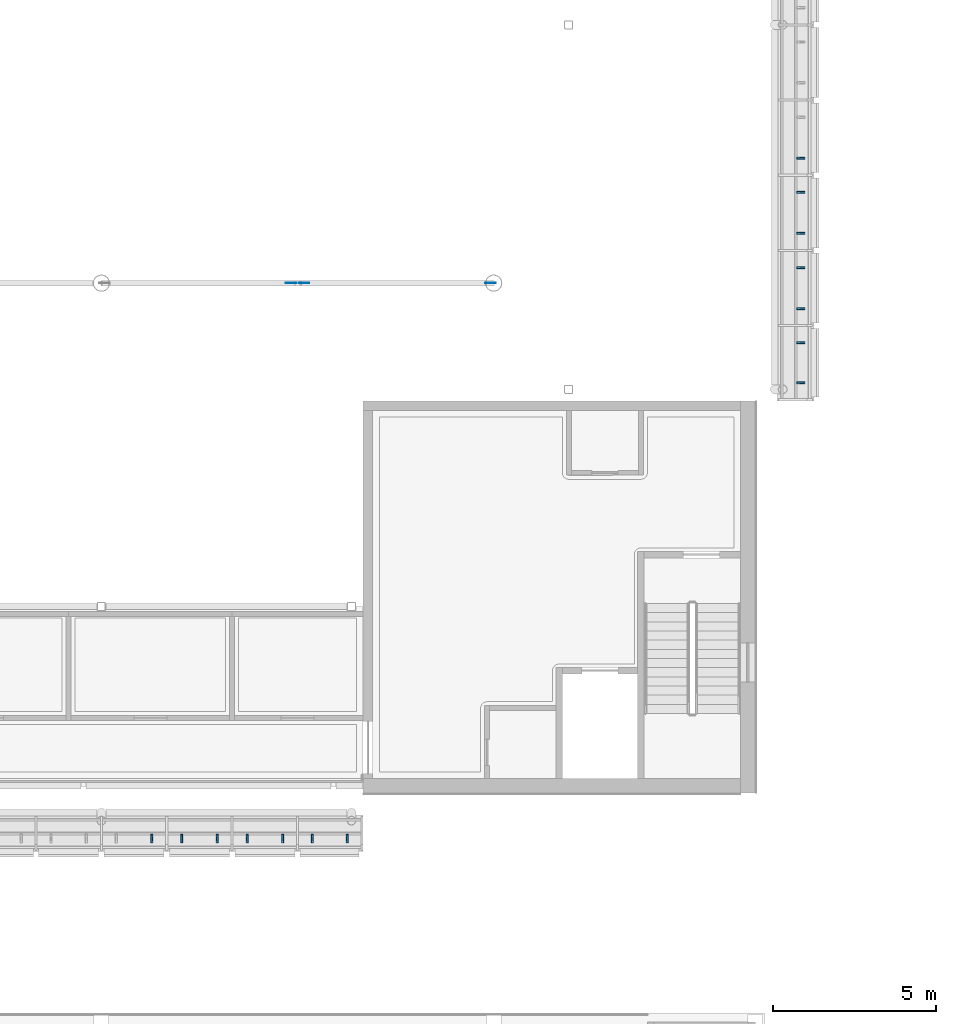
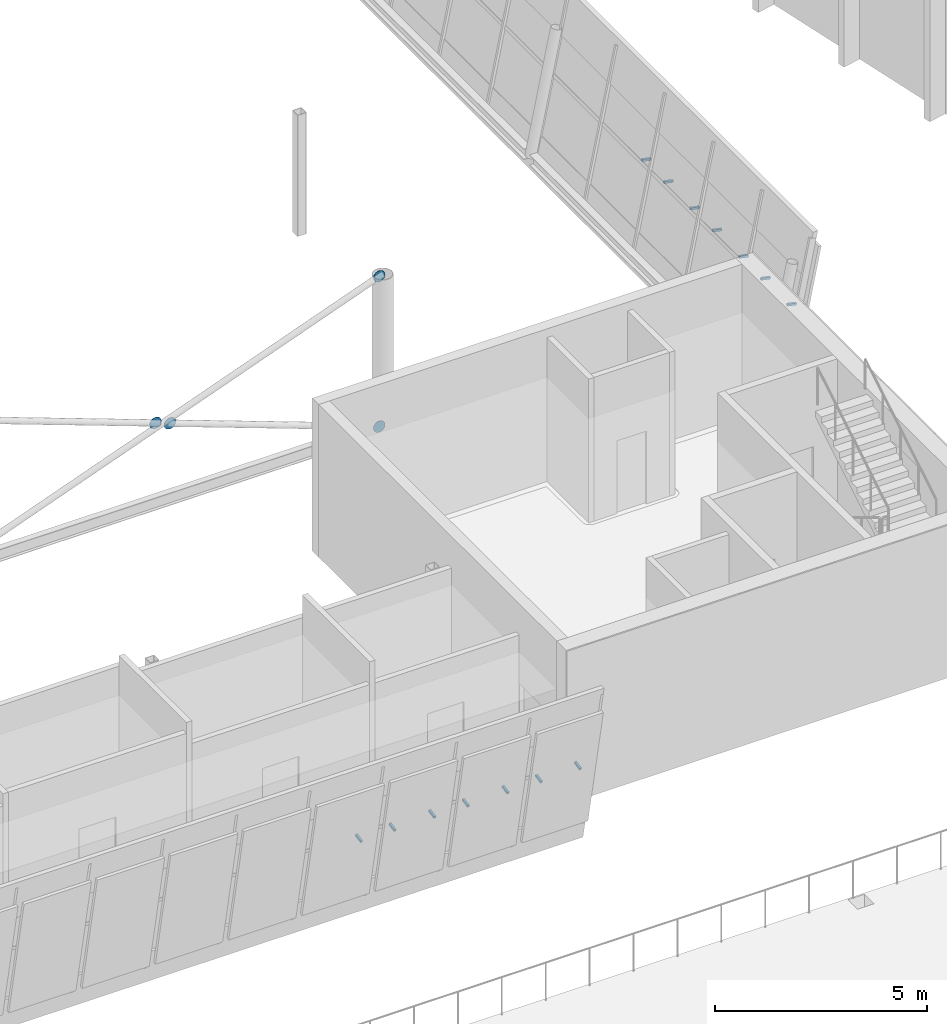
# One storey, part 74 of 95: 18 discrete accessories.
"""IFC4 building model written with IfcOpenShell, lengths in metres."""

from ifc_helpers import new_model, si_unit, direction, frame, origin, origin_2d, place, context, subcontext, project, spatial, rectangle, circle, extrude, material, layer, layer_set, type_object, element, save


model = new_model("IFC4")

# Units and contexts
model_context = context("Model", 3, precision=1e-05, world=origin(), true_north=direction((0.0, 1.0)))
body_context = subcontext(model_context, "Body", "Model", "MODEL_VIEW")
ifc_project = project(units=[si_unit("LENGTHUNIT", "METRE"), si_unit("AREAUNIT", "SQUARE_METRE"), si_unit("VOLUMEUNIT", "CUBIC_METRE"), si_unit("PLANEANGLEUNIT", "RADIAN"), si_unit("MASSUNIT", "GRAM", prefix="KILO")], contexts=[model_context])

# Site, building, storey
site_placement = place(None, origin())
site = spatial("IfcSite", under=ifc_project, at=site_placement, CompositionType="ELEMENT")
building_placement = place(site_placement, origin())
building = spatial("IfcBuilding", under=site, at=building_placement, Name="Windward Yard Aquatics Centre", CompositionType="ELEMENT")
storey_placement = place(building_placement, frame((0.0, 0.0, 9.39990234375)))
storey = spatial("IfcBuildingStorey", under=building, at=storey_placement, Name="L02", CompositionType="ELEMENT", Elevation=9.39990234375)

# Discrete accessories
ifc_material = material(Name="Steel S355", Category="steel")
ifc_layer = layer(ifc_material, 0.011962890625)
ifc_layer_set = layer_set([ifc_layer], Name="Gusset plate 320 mm disc 12 mm")
discrete_accessory_type = type_object("IfcDiscreteAccessoryType", Name="Gusset plate 320 mm disc 12 mm", PredefinedType="USERDEFINED", material=ifc_layer_set)
for number, where, z_axis, x_axis, name in (
    (1, (143.906005859375, 41.593994140625, 4.36572265625), (0.0, 1.0, 0.0), (-1.0, 0.0, 0.0), "Gusset plate"),
    (2, (137.802734375, 41.593994140625, 2.2724609375), (0.0, 1.0, 0.0), (-1.0, 0.0, 0.0), "Gusset plate"),
    (3, (138.197265625, 41.593994140625, 2.127685546875), (0.0, 1.0, 0.0), (-1.0, 0.0, 0.0), "Gusset plate"),
    (4, (143.906005859375, 41.593994140625, 0.034423828125), (0.0, 1.0, 0.0), (-1.0, 0.0, 0.0), "Gusset plate"),
):
    element("IfcDiscreteAccessory", number, at=place(storey_placement, frame(where, z_axis=z_axis, x_axis=x_axis)), inside=storey, type_object=discrete_accessory_type, Name=name, ObjectType="GUSSET PLATE", PredefinedType="USERDEFINED", context=body_context, shape_type="SweptSolid", body=[
        extrude(circle(Radius=0.159912109375, at=origin_2d()), origin(), (0.0, 0.0, 1.0), 0.011962890625),
    ])
for number, where, z_axis, x_axis, name in (
    (5, (133.542724609375, 24.732421875, 2.11865234375), (0.0, -0.979936662274, -0.199309151649), (1.0, 0.0, 0.0), "Louvre bracket S L02 B16.2"),
    (6, (134.458984375, 24.732421875, 2.11865234375), (0.0, -0.979936662274, -0.199309151649), (1.0, 0.0, 0.0), "Louvre bracket S L02 B17.1"),
    (7, (135.54248046875, 24.732421875, 2.11865234375), (0.0, -0.979936662274, -0.199309151649), (1.0, 0.0, 0.0), "Louvre bracket S L02 B17.2"),
    (8, (136.458740234375, 24.732421875, 2.11865234375), (0.0, -0.979936662274, -0.199309151649), (1.0, 0.0, 0.0), "Louvre bracket S L02 B18.1"),
    (9, (137.542236328125, 24.732421875, 2.11865234375), (0.0, -0.979936662274, -0.199309151649), (1.0, 0.0, 0.0), "Louvre bracket S L02 B18.2"),
    (10, (138.451171875, 24.732421875, 2.11865234375), (0.0, -0.979936662274, -0.199309151649), (1.0, 0.0, 0.0), "Louvre bracket S L02 B19.1"),
    (11, (139.5166015625, 24.732421875, 2.11865234375), (0.0, -0.979936662274, -0.199309151649), (1.0, 0.0, 0.0), "Louvre bracket S L02 B19.2"),
    (12, (153.267578125, 38.549560546875, 2.11865234375), (0.979936662274, 0.0, -0.199309151649), (0.0, 1.0, 0.0), "Louvre bracket E L02 A1.1"),
    (13, (153.267578125, 39.782958984375, 2.11865234375), (0.979936662274, 0.0, -0.199309151649), (0.0, 1.0, 0.0), "Louvre bracket E L02 A1.2"),
    (14, (153.267578125, 40.82421875, 2.11865234375), (0.979936662274, 0.0, -0.199309151649), (0.0, 1.0, 0.0), "Louvre bracket E L02 A2.1"),
    (15, (153.267578125, 42.07568359375, 2.11865234375), (0.979936662274, 0.0, -0.199309151649), (0.0, 1.0, 0.0), "Louvre bracket E L02 A2.2"),
    (16, (153.267578125, 43.124267578125, 2.11865234375), (0.979936662274, 0.0, -0.199309151649), (0.0, 1.0, 0.0), "Louvre bracket E L02 A3.1"),
    (17, (153.267578125, 44.375732421875, 2.11865234375), (0.979936662274, 0.0, -0.199309151649), (0.0, 1.0, 0.0), "Louvre bracket E L02 A3.2"),
    (18, (153.267578125, 45.42431640625, 2.11865234375), (0.979936662274, 0.0, -0.199309151649), (0.0, 1.0, 0.0), "Louvre bracket E L02 A4.1"),
):
    element("IfcDiscreteAccessory", number, at=place(storey_placement, frame(where, z_axis=z_axis, x_axis=x_axis)), inside=storey, Name=name, PredefinedType="BRACKET", context=body_context, shape_type="SweptSolid", body=[
        extrude(rectangle(XDim=0.06005859375, YDim=0.06005859375, at=origin_2d()), origin(), (0.0, 0.0, 1.0), 0.25),
    ])

save(model, "model.ifc")
